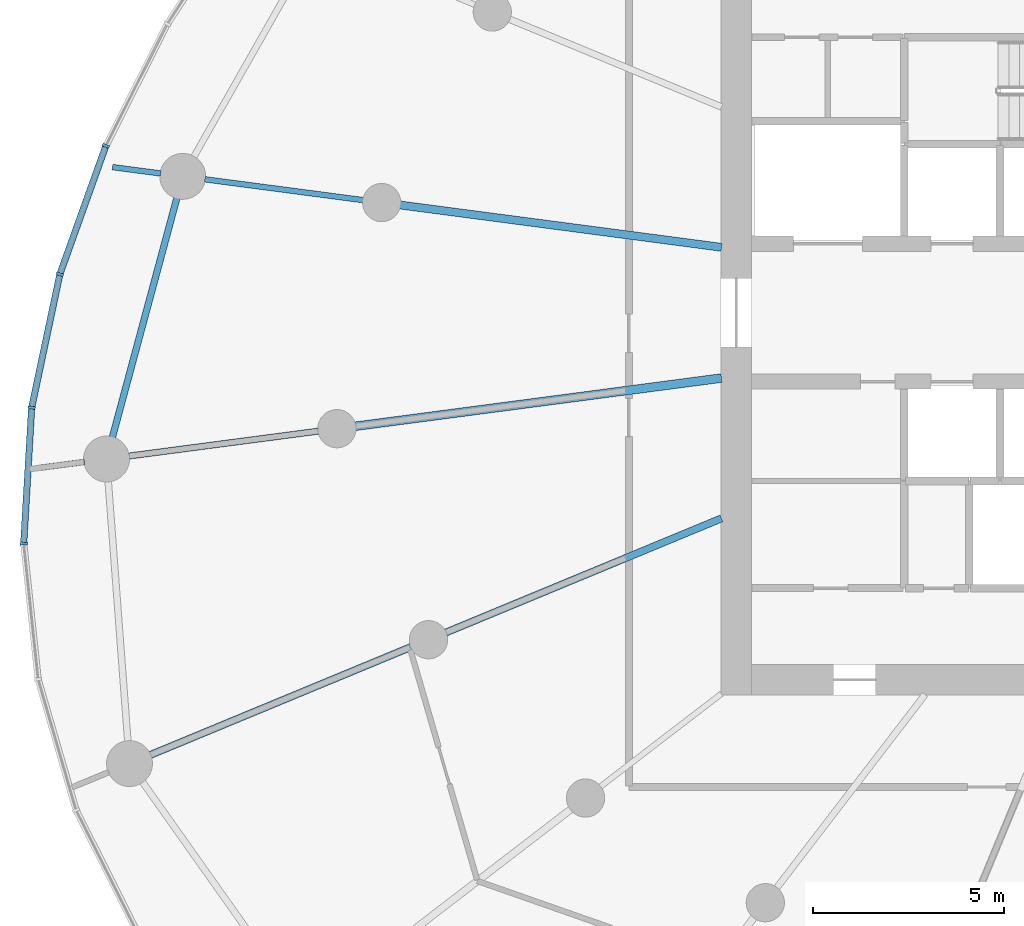
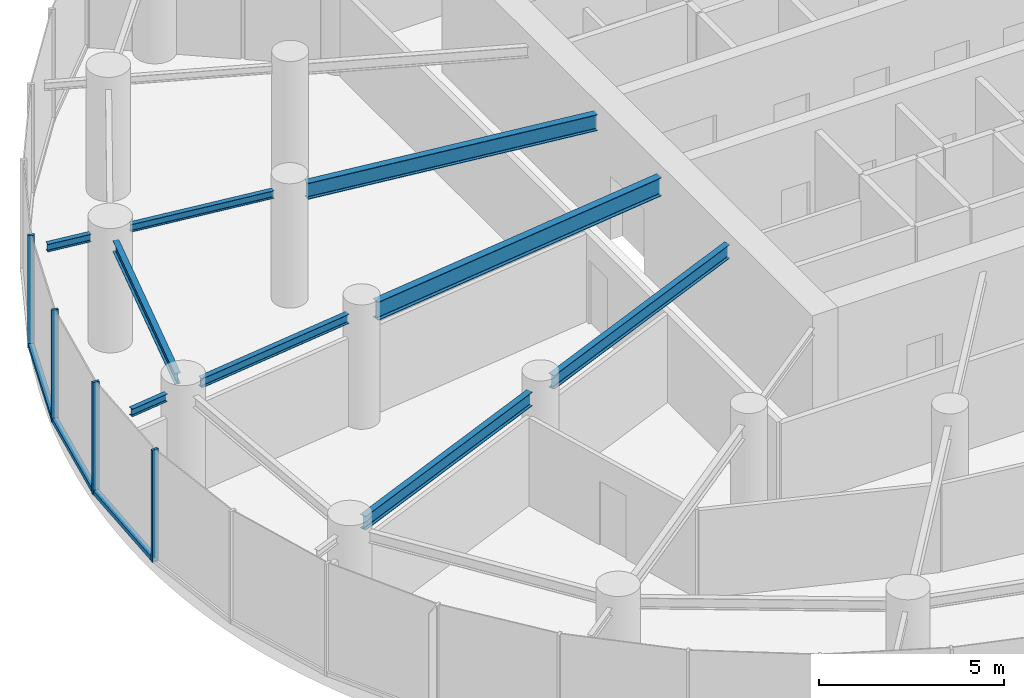
# One storey, part 3 of 17: 9 beams, 7 members, 1 element without a shape of its own.
"""IFC4 building model written with IfcOpenShell, lengths in metres."""

from ifc_helpers import new_model, si_unit, direction, frame, origin, origin_2d, place, context, subcontext, project, spatial, rectangle, i_section, extrude, source, transform, mapped, material, layer, layer_set, material_profile, profile_set, type_object, element, aggregate, save


model = new_model("IFC4")

# Units and contexts
model_context = context("Model", 3, precision=1e-05, world=origin(), true_north=direction((0.0, 1.0)))
body_context = subcontext(model_context, "Body", "Model", "MODEL_VIEW")
ifc_project = project(units=[si_unit("LENGTHUNIT", "METRE"), si_unit("AREAUNIT", "SQUARE_METRE"), si_unit("VOLUMEUNIT", "CUBIC_METRE"), si_unit("PLANEANGLEUNIT", "RADIAN"), si_unit("MASSUNIT", "GRAM", prefix="KILO")], contexts=[model_context])

# Site, building, storey
site_placement = place(None, origin())
site = spatial("IfcSite", under=ifc_project, at=site_placement, CompositionType="ELEMENT")
building_placement = place(site_placement, origin())
building = spatial("IfcBuilding", under=site, at=building_placement, Name="Spindrift Exchange Tower", CompositionType="ELEMENT")
storey_placement = place(building_placement, frame((0.0, 0.0, 108.5)))
storey = spatial("IfcBuildingStorey", under=building, at=storey_placement, Name="L25", CompositionType="ELEMENT", Elevation=108.5)

# Beams
ifc_material_1 = material(Name="Steel Grade 300", Category="steel")
ifc_material_profile_1 = material_profile(ifc_material_1, i_section(OverallWidth=0.22802734375, OverallDepth=0.60693359375, WebThickness=0.01123046875, FlangeThickness=0.017333984375, FilletRadius=0.013916015625, at=origin_2d()), Name="610UB113")
ifc_profile_set_1 = profile_set([ifc_material_profile_1], Name="Steel Grade 300")
beam_type_1 = type_object("IfcBeamType", Name="Floor Beam 610UB113 Steel Grade 300", PredefinedType="BEAM", material=ifc_profile_set_1)
shared_shape_1 = source(origin(), body_context, "Body", "SweptSolid", [
    extrude(i_section(OverallWidth=0.22802734375, OverallDepth=0.60693359375, WebThickness=0.01123046875, FlangeThickness=0.017333984375, FilletRadius=0.013916015625, at=origin_2d()), origin(), (0.0, 0.0, 1.0), 9.660400390625),
])
beam_1_placement = place(storey_placement, frame((39.019775390625, 46.291015625, 3.396484375), z_axis=(-0.99144767089, -0.130504850054, 0.0), x_axis=(0.130504850054, -0.99144767089, 0.0)))
element("IfcBeam", 1, at=beam_1_placement, inside=storey, type_object=beam_type_1, Name="L25 radial beam R13A", PredefinedType="BEAM", context=body_context, shape_type="MappedRepresentation", body=[
    mapped(shared_shape_1, transform((0.0, 0.0, 0.0), scale=1.0)),
])
ifc_material_profile_2 = material_profile(ifc_material_1, i_section(OverallWidth=0.18994140625, OverallDepth=0.45703125, WebThickness=0.009033203125, FlangeThickness=0.014404296875, FilletRadius=0.013916015625, at=origin_2d()), Name="460UB74.6")
ifc_profile_set_2 = profile_set([ifc_material_profile_2], Name="Steel Grade 300")
beam_type_2 = type_object("IfcBeamType", Name="Floor Beam 460UB74.6 Steel Grade 300", PredefinedType="BEAM", material=ifc_profile_set_2)
shared_shape_2 = source(origin(), body_context, "Body", "SweptSolid", [
    extrude(i_section(OverallWidth=0.18994140625, OverallDepth=0.45703125, WebThickness=0.009033203125, FlangeThickness=0.014404296875, FilletRadius=0.013916015625, at=origin_2d()), origin(), (0.0, 0.0, 1.0), 7.808837890625),
])
beam_2_placement = place(storey_placement, frame((39.0185546875, 42.622802734375, 3.471435546875), z_axis=(-0.92387965154, -0.382683145003, 0.0), x_axis=(0.382683145003, -0.92387965154, 0.0)))
element("IfcBeam", 2, at=beam_2_placement, inside=storey, type_object=beam_type_2, Name="L25 radial beam R14A", PredefinedType="BEAM", context=body_context, shape_type="MappedRepresentation", body=[
    mapped(shared_shape_2, transform((0.0, 0.0, 0.0), scale=1.0)),
])
ifc_material_profile_3 = material_profile(ifc_material_1, i_section(OverallWidth=0.208984375, OverallDepth=0.532958984375, WebThickness=0.01025390625, FlangeThickness=0.015625, FilletRadius=0.013916015625, at=origin_2d()), Name="530UB92.4")
ifc_profile_set_3 = profile_set([ifc_material_profile_3], Name="Steel Grade 300")
beam_type_3 = type_object("IfcBeamType", Name="Floor Beam 530UB92.4 Steel Grade 300", PredefinedType="BEAM", material=ifc_profile_set_3)
shared_shape_3 = source(origin(), body_context, "Body", "SweptSolid", [
    extrude(i_section(OverallWidth=0.208984375, OverallDepth=0.532958984375, WebThickness=0.01025390625, FlangeThickness=0.015625, FilletRadius=0.013916015625, at=origin_2d()), origin(), (0.0, 0.0, 1.0), 8.4794921875),
])
beam_3_placement = place(storey_placement, frame((39.019775390625, 49.708984375, 3.43359375), z_axis=(-0.991446551951, 0.13051335037, 0.0), x_axis=(-0.13051335037, -0.991446551951, 0.0)))
element("IfcBeam", 3, at=beam_3_placement, inside=storey, type_object=beam_type_3, Name="L25 radial beam R12A", PredefinedType="BEAM", context=body_context, shape_type="MappedRepresentation", body=[
    mapped(shared_shape_3, transform((0.0, 0.0, 0.0), scale=1.0)),
])
ifc_material_profile_4 = material_profile(ifc_material_1, i_section(OverallWidth=0.1650390625, OverallDepth=0.303955078125, WebThickness=0.006103515625, FlangeThickness=0.01025390625, FilletRadius=0.011474609375, at=origin_2d()), Name="310UB40.4")
ifc_profile_set_4 = profile_set([ifc_material_profile_4], Name="Steel Grade 300")
beam_type_4 = type_object("IfcBeamType", Name="Floor Beam 310UB40.4 Steel Grade 300", PredefinedType="BEAM", material=ifc_profile_set_4)
shared_shape_4 = source(origin(), body_context, "Body", "SweptSolid", [
    extrude(i_section(OverallWidth=0.1650390625, OverallDepth=0.303955078125, WebThickness=0.006103515625, FlangeThickness=0.01025390625, FilletRadius=0.011474609375, at=origin_2d()), origin(), (0.0, 0.0, 1.0), 5.014404296875),
])
beam_4_placement = place(storey_placement, frame((28.490234375, 44.90478515625, 3.548095703125), z_axis=(-0.99145015202, -0.13048599948, 0.0), x_axis=(0.13048599948, -0.99145015202, 0.0)))
element("IfcBeam", 4, at=beam_4_placement, inside=storey, type_object=beam_type_4, Name="L25 radial beam R13B", PredefinedType="BEAM", context=body_context, shape_type="MappedRepresentation", body=[
    mapped(shared_shape_4, transform((0.0, 0.0, 0.0), scale=1.0)),
])
shared_shape_5 = source(origin(), body_context, "Body", "SweptSolid", [
    extrude(i_section(OverallWidth=0.18994140625, OverallDepth=0.45703125, WebThickness=0.009033203125, FlangeThickness=0.014404296875, FilletRadius=0.013916015625, at=origin_2d()), origin(), (0.0, 0.0, 1.0), 7.400146484375),
])
beam_5_placement = place(storey_placement, frame((30.917236328125, 39.26708984375, 3.471435546875), z_axis=(-0.923886957755, -0.382665505749, 0.0), x_axis=(0.382665505749, -0.923886957755, 0.0)))
element("IfcBeam", 5, at=beam_5_placement, inside=storey, type_object=beam_type_2, Name="L25 radial beam R14B", PredefinedType="BEAM", context=body_context, shape_type="MappedRepresentation", body=[
    mapped(shared_shape_5, transform((0.0, 0.0, 0.0), scale=1.0)),
])
ifc_material_profile_5 = material_profile(ifc_material_1, i_section(OverallWidth=0.14599609375, OverallDepth=0.251953125, WebThickness=0.006103515625, FlangeThickness=0.008544921875, FilletRadius=0.011962890625, at=origin_2d()), Name="250UB31.4")
ifc_profile_set_5 = profile_set([ifc_material_profile_5], Name="Steel Grade 300")
beam_type_5 = type_object("IfcBeamType", Name="Floor Beam 250UB31.4 Steel Grade 300", PredefinedType="BEAM", material=ifc_profile_set_5)
shared_shape_6 = source(origin(), body_context, "Body", "SweptSolid", [
    extrude(i_section(OverallWidth=0.14599609375, OverallDepth=0.251953125, WebThickness=0.006103515625, FlangeThickness=0.008544921875, FilletRadius=0.011962890625, at=origin_2d()), origin(), (0.0, 0.0, 1.0), 4.186279296875),
])
beam_6_placement = place(storey_placement, frame((29.660888671875, 50.94091796875, 3.573974609375), z_axis=(-0.991445559167, 0.130520891848, 0.0), x_axis=(-0.130520891848, -0.991445559167, 0.0)))
element("IfcBeam", 6, at=beam_6_placement, inside=storey, type_object=beam_type_5, Name="L25 radial beam R12B", PredefinedType="BEAM", context=body_context, shape_type="MappedRepresentation", body=[
    mapped(shared_shape_6, transform((0.0, 0.0, 0.0), scale=1.0)),
])
ifc_material_profile_6 = material_profile(ifc_material_1, i_section(OverallWidth=0.172119140625, OverallDepth=0.35888671875, WebThickness=0.008056640625, FlangeThickness=0.012939453125, FilletRadius=0.013916015625, at=origin_2d()), Name="360UB56.7")
ifc_profile_set_6 = profile_set([ifc_material_profile_6], Name="Steel Grade 300")
beam_type_6 = type_object("IfcBeamType", Name="Edge Beam 360UB56.7 Steel Grade 300", PredefinedType="SPANDREL", material=ifc_profile_set_6)
shared_shape_7 = source(origin(), body_context, "Body", "SweptSolid", [
    extrude(i_section(OverallWidth=0.172119140625, OverallDepth=0.35888671875, WebThickness=0.008056640625, FlangeThickness=0.012939453125, FilletRadius=0.013916015625, at=origin_2d()), origin(), (0.0, 0.0, 1.0), 6.4921875),
])
beam_7_placement = place(storey_placement, frame((24.784423828125, 51.003173828125, 3.5205078125), z_axis=(-0.260262058381, -0.965538016324, 0.0), x_axis=(0.965538016324, -0.260262058381, 0.0)))
element("IfcBeam", 7, at=beam_7_placement, inside=storey, type_object=beam_type_6, Name="L25 edge beam E12", PredefinedType="SPANDREL", context=body_context, shape_type="MappedRepresentation", body=[
    mapped(shared_shape_7, transform((0.0, 0.0, 0.0), scale=1.0)),
])
ifc_material_profile_7 = material_profile(ifc_material_1, i_section(OverallWidth=0.14599609375, OverallDepth=0.251953125, WebThickness=0.006103515625, FlangeThickness=0.008544921875, FilletRadius=0.011962890625, at=origin_2d()), Name="250UB31.4")
ifc_profile_set_7 = profile_set([ifc_material_profile_7], Name="Steel Grade 300")
beam_type_7 = type_object("IfcBeamType", Name="Cantilever Beam 250UB31.4 Steel Grade 300", PredefinedType="BEAM", material=ifc_profile_set_7)
shared_shape_8 = source(origin(), body_context, "Body", "SweptSolid", [
    extrude(i_section(OverallWidth=0.14599609375, OverallDepth=0.251953125, WebThickness=0.006103515625, FlangeThickness=0.008544921875, FilletRadius=0.011962890625, at=origin_2d()), origin(), (0.0, 0.0, 1.0), 1.197998046875),
])
beam_8_placement = place(storey_placement, frame((22.36865234375, 44.09912109375, 3.573974609375), z_axis=(-0.991431390482, -0.130628473032, 0.0), x_axis=(0.130628473032, -0.991431390482, 0.0)))
element("IfcBeam", 8, at=beam_8_placement, inside=storey, type_object=beam_type_7, Name="L25 cantilever beam R13T", PredefinedType="BEAM", context=body_context, shape_type="MappedRepresentation", body=[
    mapped(shared_shape_8, transform((0.0, 0.0, 0.0), scale=1.0)),
])
shared_shape_9 = source(origin(), body_context, "Body", "SweptSolid", [
    extrude(i_section(OverallWidth=0.14599609375, OverallDepth=0.251953125, WebThickness=0.006103515625, FlangeThickness=0.008544921875, FilletRadius=0.011962890625, at=origin_2d()), origin(), (0.0, 0.0, 1.0), 1.271240234375),
])
beam_9_placement = place(storey_placement, frame((24.360595703125, 51.638916015625, 3.573974609375), z_axis=(-0.991462790444, 0.130389935059, 0.0), x_axis=(-0.130389935059, -0.991462790444, 0.0)))
element("IfcBeam", 9, at=beam_9_placement, inside=storey, type_object=beam_type_7, Name="L25 cantilever beam R12T", PredefinedType="BEAM", context=body_context, shape_type="MappedRepresentation", body=[
    mapped(shared_shape_9, transform((0.0, 0.0, 0.0), scale=1.0)),
])

# Curtain wall, members
ifc_material_2 = material(Name="Fritted laminated glass with bronze frame", Category="glass")
ifc_layer = layer(ifc_material_2, 0.18994140625)
ifc_layer_set = layer_set([ifc_layer], Name="ZONE 2 BRONZE FRITTED WALL")
curtain_wall_type = type_object("IfcCurtainWallType", Name="ZONE 2 BRONZE FRITTED WALL", PredefinedType="NOTDEFINED", material=ifc_layer_set)
curtain_wall_placement = place(storey_placement, origin())
curtain_wall = element("IfcCurtainWall", 10, at=curtain_wall_placement, inside=storey, type_object=curtain_wall_type, Name="L25 Zone 2 Bronze Fritted Wall run 4", PredefinedType="NOTDEFINED")
ifc_material_3 = material(Name="Bronze anodised aluminium", Category="aluminium")
ifc_material_profile_8 = material_profile(ifc_material_3, rectangle(XDim=0.074951171875, YDim=0.18994140625, at=origin_2d()), Name="ZONE 2 BRONZE FRITTED WALL MULLION 75X190")
ifc_profile_set_8 = profile_set([ifc_material_profile_8], Name="Bronze anodised aluminium")
member_type_1 = type_object("IfcMemberType", Name="ZONE 2 BRONZE FRITTED WALL MULLION 75X190", PredefinedType="MULLION", material=ifc_profile_set_8)
shared_shape_10 = source(origin(), body_context, "Body", "SweptSolid", [
    extrude(rectangle(XDim=0.074951171875, YDim=0.18994140625, at=origin_2d()), origin(), (0.0, 0.0, 1.0), 3.699951171875),
])
member_1_placement = place(storey_placement, frame((22.925537109375, 52.36181640625, 0.0), z_axis=(0.0, 0.0, 1.0), x_axis=(-0.394401131018, -0.918938380879, 0.0)))
member_1 = element("IfcMember", 11, at=member_1_placement, type_object=member_type_1, Name="L25 mullion CW-2.21", PredefinedType="MULLION", context=body_context, shape_type="MappedRepresentation", body=[
    mapped(shared_shape_10, transform((0.0, 0.0, 0.0), scale=1.0)),
])
member_2_placement = place(storey_placement, frame((21.722900390625, 49.00537109375, 0.0), z_axis=(0.0, 0.0, 1.0), x_axis=(-0.272696789395, -0.962100026532, 0.0)))
member_2 = element("IfcMember", 12, at=member_2_placement, type_object=member_type_1, Name="L25 mullion CW-2.22", PredefinedType="MULLION", context=body_context, shape_type="MappedRepresentation", body=[
    mapped(shared_shape_10, transform((0.0, 0.0, 0.0), scale=1.0)),
])
member_3_placement = place(storey_placement, frame((20.985595703125, 45.517822265625, 0.0), z_axis=(0.0, 0.0, 1.0), x_axis=(-0.132998428986, -0.991116248423, 0.0)))
member_3 = element("IfcMember", 13, at=member_3_placement, type_object=member_type_1, Name="L25 mullion CW-2.23", PredefinedType="MULLION", context=body_context, shape_type="MappedRepresentation", body=[
    mapped(shared_shape_10, transform((0.0, 0.0, 0.0), scale=1.0)),
])
member_4_placement = place(storey_placement, frame((20.777587890625, 41.959716796875, 0.0), z_axis=(0.0, 0.0, 1.0), x_axis=(0.023700017407, -0.999719115139, 0.0)))
member_4 = element("IfcMember", 14, at=member_4_placement, type_object=member_type_1, Name="L25 mullion CW-2.24", PredefinedType="MULLION", context=body_context, shape_type="MappedRepresentation", body=[
    mapped(shared_shape_10, transform((0.0, 0.0, 0.0), scale=1.0)),
])
ifc_material_profile_9 = material_profile(ifc_material_3, rectangle(XDim=0.169921875, YDim=0.139892578125, at=origin_2d()), Name="ZONE 2 BRONZE FRITTED WALL TRANSOM 170X140")
ifc_profile_set_9 = profile_set([ifc_material_profile_9], Name="Bronze anodised aluminium")
member_type_2 = type_object("IfcMemberType", Name="ZONE 2 BRONZE FRITTED WALL TRANSOM 170X140", PredefinedType="USERDEFINED", material=ifc_profile_set_9)
shared_shape_11 = source(origin(), body_context, "Body", "SweptSolid", [
    extrude(rectangle(XDim=0.169921875, YDim=0.139892578125, at=origin_2d()), origin(), (0.0, 0.0, 1.0), 3.489013671875),
])
member_5_placement = place(storey_placement, frame((20.9833984375, 45.48046875, 0.070068359375), z_axis=(-0.058356955289, -0.998295780703, 0.0), x_axis=(0.998295780703, -0.058356955289, 0.0)))
member_5 = element("IfcMember", 15, at=member_5_placement, type_object=member_type_2, Name="L25 transom CW-2.23", ObjectType="TRANSOM", PredefinedType="USERDEFINED", context=body_context, shape_type="MappedRepresentation", body=[
    mapped(shared_shape_11, transform((0.0, 0.0, 0.0), scale=1.0)),
])
shared_shape_12 = source(origin(), body_context, "Body", "SweptSolid", [
    extrude(rectangle(XDim=0.169921875, YDim=0.139892578125, at=origin_2d()), origin(), (0.0, 0.0, 1.0), 3.490234375),
])
member_6_placement = place(storey_placement, frame((22.912841796875, 52.326416015625, 0.070068359375), z_axis=(-0.337302235938, -0.941396410462, 0.0), x_axis=(0.941396410462, -0.337302235938, 0.0)))
member_6 = element("IfcMember", 16, at=member_6_placement, type_object=member_type_2, Name="L25 transom CW-2.21", ObjectType="TRANSOM", PredefinedType="USERDEFINED", context=body_context, shape_type="MappedRepresentation", body=[
    mapped(shared_shape_12, transform((0.0, 0.0, 0.0), scale=1.0)),
])
shared_shape_13 = source(origin(), body_context, "Body", "SweptSolid", [
    extrude(rectangle(XDim=0.169921875, YDim=0.139892578125, at=origin_2d()), origin(), (0.0, 0.0, 1.0), 3.48974609375),
])
member_7_placement = place(storey_placement, frame((21.71533203125, 48.96875, 0.070068359375), z_axis=(-0.206867161246, -0.978369039575, 0.0), x_axis=(0.978369039575, -0.206867161246, 0.0)))
member_7 = element("IfcMember", 17, at=member_7_placement, type_object=member_type_2, Name="L25 transom CW-2.22", ObjectType="TRANSOM", PredefinedType="USERDEFINED", context=body_context, shape_type="MappedRepresentation", body=[
    mapped(shared_shape_13, transform((0.0, 0.0, 0.0), scale=1.0)),
])
aggregate(curtain_wall, [member_1, member_6, member_2, member_7, member_3, member_5, member_4])

save(model, "model.ifc")
